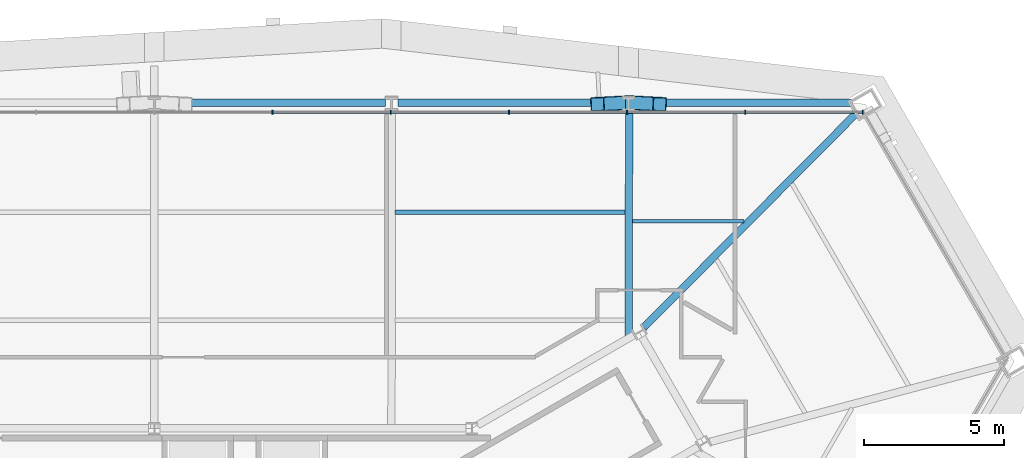
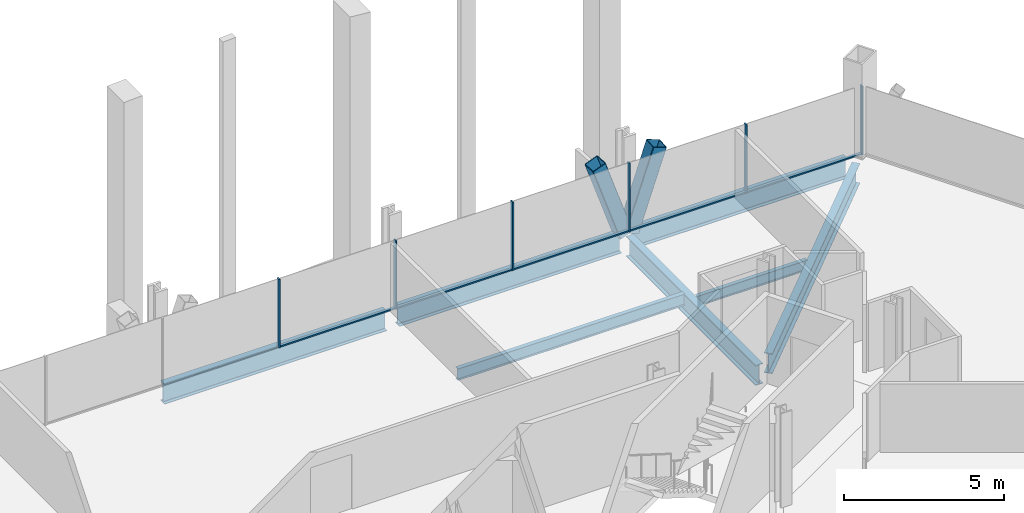
# One storey, part 8 of 16: 13 members, 7 beams, 1 element without a shape of its own.
"""IFC4 building model written with IfcOpenShell, lengths in metres."""

import ifcopenshell
import ifcopenshell.guid

model = None  # the IFC model being written
_history = None  # IfcOwnerHistory: only IFC2X3 demands one
_inside = {}  # id of a spatial element -> (the spatial element, [elements in it])
_under = {}  # id of a project, library or spatial element -> (it, [spatial elements below it])
_declared = {}  # id of a project -> (the project, [libraries it declares])
_typed = {}  # id of a type object -> (the type object, [elements of that type])
_made_of = {}  # id of a material, layer set ... -> (it, [elements and type objects made of it])


def new_model(schema):
    """Start an empty IFC model of exactly this schema.

    Asked for "IFC4X3", IfcOpenShell would pick the latest addendum, in which some entities
    have other attributes; the version numbers below select the first issue.
    IFC2X3 requires an IfcOwnerHistory on every rooted entity: one is made here for all.
    """
    global model, _history
    if schema == "IFC4X3":
        model = ifcopenshell.file(schema_version=(4, 3, 0, 0))
    else:
        model = ifcopenshell.file(schema=schema)
    _inside.clear()
    _under.clear()
    _declared.clear()
    _typed.clear()
    _made_of.clear()
    _history = None
    if model.schema == "IFC2X3":
        org = make("IfcOrganization", Name="unknown")
        user = make(
            "IfcPersonAndOrganization",
            ThePerson=make("IfcPerson", FamilyName="unknown"),
            TheOrganization=org,
        )
        app = make(
            "IfcApplication",
            ApplicationDeveloper=org,
            Version="unknown",
            ApplicationFullName="unknown",
            ApplicationIdentifier="unknown",
        )
        _history = make(
            "IfcOwnerHistory",
            OwningUser=user,
            OwningApplication=app,
            ChangeAction="ADDED",
            CreationDate=0,
        )
    return model


def make(cls, **values):
    """One entity of the class cls with the attributes given. An attribute that is None is left unset."""
    return model.create_entity(
        cls, **{name: value for name, value in values.items() if value is not None}
    )


def rooted(cls, **values):
    """An entity with a GlobalId (a new one), such as an element, a storey or a relation."""
    return make(cls, GlobalId=ifcopenshell.guid.new(), OwnerHistory=_history, **values)


def si_unit(unit_type, name, prefix=None):
    """IfcSIUnit, for example si_unit("LENGTHUNIT", "METRE", prefix="MILLI")."""
    return make("IfcSIUnit", UnitType=unit_type, Prefix=prefix, Name=name)


def assignment(units):
    """IfcUnitAssignment: the units of a project."""
    return None if units is None else make("IfcUnitAssignment", Units=units)


def point(xyz):
    """IfcCartesianPoint."""
    return None if xyz is None else make("IfcCartesianPoint", Coordinates=xyz)


def direction(xyz):
    """IfcDirection."""
    return None if xyz is None else make("IfcDirection", DirectionRatios=xyz)


def frame(location, z_axis=None, x_axis=None):
    """IfcAxis2Placement3D, a coordinate frame: its origin and axes. An axis left out is left unset."""
    return make(
        "IfcAxis2Placement3D",
        Location=point(location),
        Axis=direction(z_axis),
        RefDirection=direction(x_axis),
    )


def frame_2d(location, x_axis=None):
    """IfcAxis2Placement2D, a coordinate frame in the plane: its origin and x axis."""
    return make(
        "IfcAxis2Placement2D", Location=point(location), RefDirection=direction(x_axis)
    )


def origin():
    """The frame at (0, 0, 0) with its axes left unset."""
    return frame((0.0, 0.0, 0.0))


def origin_2d():
    """The frame at (0, 0) in the plane with its x axis left unset."""
    return frame_2d((0.0, 0.0))


def place(relative_to, where):
    """IfcLocalPlacement: puts the frame where relative to a parent placement (None: the world)."""
    return make(
        "IfcLocalPlacement", PlacementRelTo=relative_to, RelativePlacement=where
    )


def context(
    kind, dimensions, precision=None, world=None, true_north=None, identifier=None
):
    """IfcGeometricRepresentationContext, for example the 3D "Model" context."""
    return make(
        "IfcGeometricRepresentationContext",
        ContextIdentifier=identifier,
        ContextType=kind,
        CoordinateSpaceDimension=dimensions,
        Precision=precision,
        WorldCoordinateSystem=world,
        TrueNorth=true_north,
    )


def subcontext(parent, identifier, kind, view, scale=None):
    """IfcGeometricRepresentationSubContext, for example "Body" below "Model"."""
    return make(
        "IfcGeometricRepresentationSubContext",
        ContextIdentifier=identifier,
        ContextType=kind,
        ParentContext=parent,
        TargetScale=scale,
        TargetView=view,
    )


def project(units=None, contexts=None):
    """IfcProject with its units and contexts."""
    return rooted(
        "IfcProject",
        Name="project",
        RepresentationContexts=contexts,
        UnitsInContext=assignment(units),
    )


def spatial(cls, under=None, at=None, **own):
    """A site, building, storey or space (cls), placed at a placement, below another one or the project."""
    s = rooted(cls, ObjectPlacement=at, **own)
    if under is not None:
        _under.setdefault(under.id(), (under, []))[1].append(s)
    return s


def profile(cls, at=None, kind="AREA", **sizes):
    """A parametric profile (cls). Its sizes go by their IFC names, for example OverallWidth=200.0."""
    return make(cls, ProfileType=kind, Position=at, **sizes)


def rectangle(**sizes):
    """IfcRectangleProfileDef."""
    return profile("IfcRectangleProfileDef", **sizes)


def hollow_rectangle(**sizes):
    """IfcRectangleHollowProfileDef."""
    return profile("IfcRectangleHollowProfileDef", **sizes)


def i_section(**sizes):
    """IfcIShapeProfileDef."""
    return profile("IfcIShapeProfileDef", **sizes)


def extrude(swept, where, along, depth):
    """IfcExtrudedAreaSolid: the profile swept, set in the frame where, extruded along a direction by depth."""
    return make(
        "IfcExtrudedAreaSolid",
        SweptArea=swept,
        Position=where,
        ExtrudedDirection=direction(along),
        Depth=depth,
    )


def shape(context_of_items, identifier, shape_type, items):
    """IfcShapeRepresentation: the items that make up one representation, for example the "Body"."""
    return make(
        "IfcShapeRepresentation",
        ContextOfItems=context_of_items,
        RepresentationIdentifier=identifier,
        RepresentationType=shape_type,
        Items=items,
    )


def material(Name=None, Category=None):
    """IfcMaterial."""
    return make("IfcMaterial", Name=Name, Category=Category)


def material_profile(
    of_material, cross_section, Name=None, Category=None, Priority=None
):
    """IfcMaterialProfile: a cross section and its material."""
    return make(
        "IfcMaterialProfile",
        Name=Name,
        Material=of_material,
        Profile=cross_section,
        Priority=Priority,
        Category=Category,
    )


def profile_set(profiles, Name=None, composite=None):
    """IfcMaterialProfileSet."""
    return make(
        "IfcMaterialProfileSet",
        Name=Name,
        MaterialProfiles=profiles,
        CompositeProfile=composite,
    )


def made_of(thing, what):
    """Note that an element or type object is made of a material, layer set ...; save() writes the relation."""
    if what is not None:
        _made_of.setdefault(what.id(), (what, []))[1].append(thing)
    return thing


def type_object(cls, material=None, **own):
    """A type object (cls), such as IfcWallType, which elements share."""
    return made_of(rooted(cls, **own), material)


def element(
    cls,
    number,
    at=None,
    inside=None,
    cuts=None,
    type_object=None,
    material=None,
    context=None,
    identifier="Body",
    shape_type=None,
    held_by="IfcProductDefinitionShape",
    body=None,
    shapes=None,
    **own,
):
    """One element of the class cls, such as IfcWall. Its Tag is "e" and its number.

    at: its placement. inside: the storey or other place that contains it. cuts: it is an
    opening in that element (IfcRelVoidsElement). A single representation is given by context,
    identifier, shape_type and body (its items); several are given by shapes. held_by: the class
    of the entity that holds the representations. save() writes the other relations.
    """
    e = rooted(cls, Tag="e%d" % number, ObjectPlacement=at, **own)
    if body is not None:
        shapes = [shape(context, identifier, shape_type, body)]
    if shapes is not None:
        e.Representation = make(held_by, Representations=shapes)
    if inside is not None:
        _inside.setdefault(inside.id(), (inside, []))[1].append(e)
    if cuts is not None:
        rooted(
            "IfcRelVoidsElement", RelatingBuildingElement=cuts, RelatedOpeningElement=e
        )
    if type_object is not None:
        _typed.setdefault(type_object.id(), (type_object, []))[1].append(e)
    return made_of(e, material)


def aggregate(whole, parts):
    """IfcRelAggregates: a whole, such as a stair, and the parts it consists of."""
    return rooted("IfcRelAggregates", RelatingObject=whole, RelatedObjects=parts)


def save(model, path):
    """Write the relations noted so far, then the file.

    IfcRelAggregates (storeys below a building ...), IfcRelContainedInSpatialStructure (elements
    in a storey), IfcRelDefinesByType, IfcRelAssociatesMaterial and IfcRelDeclares: one each for
    every whole, place, type object, material and project.
    """
    for whole, parts in _under.values():
        aggregate(whole, parts)
    for where, things in _inside.values():
        rooted(
            "IfcRelContainedInSpatialStructure",
            RelatedElements=things,
            RelatingStructure=where,
        )
    for kind, things in _typed.values():
        rooted("IfcRelDefinesByType", RelatedObjects=things, RelatingType=kind)
    for what, things in _made_of.values():
        rooted("IfcRelAssociatesMaterial", RelatedObjects=things, RelatingMaterial=what)
    for by, libraries in _declared.values():
        rooted("IfcRelDeclares", RelatingContext=by, RelatedDefinitions=libraries)
    model.write(path)


model = new_model("IFC4")

# Units and contexts
model_context = context("Model", 3, precision=1e-05, world=origin(), true_north=direction((0.0, 1.0)))
body_context = subcontext(model_context, "Body", "Model", "MODEL_VIEW")
ifc_project = project(units=[si_unit("LENGTHUNIT", "METRE"), si_unit("AREAUNIT", "SQUARE_METRE"), si_unit("VOLUMEUNIT", "CUBIC_METRE"), si_unit("PLANEANGLEUNIT", "RADIAN"), si_unit("MASSUNIT", "GRAM", prefix="KILO")], contexts=[model_context])

# Site, building, storey
site_placement = place(None, origin())
site = spatial("IfcSite", under=ifc_project, at=site_placement, CompositionType="ELEMENT")
building_placement = place(site_placement, origin())
building = spatial("IfcBuilding", under=site, at=building_placement, Name="Verrane Prism Tower", CompositionType="ELEMENT")
storey_placement = place(building_placement, frame((0.0, 0.0, 36.800048828125)))
storey = spatial("IfcBuildingStorey", under=building, at=storey_placement, Name="L06", CompositionType="ELEMENT", Elevation=36.800048828125)

# Beam
ifc_material_1 = material(Name="Steel A992", Category="steel")
ifc_material_profile_1 = material_profile(ifc_material_1, i_section(OverallWidth=0.2666015625, OverallDepth=0.76708984375, WebThickness=0.014892578125, FlangeThickness=0.023681640625, FilletRadius=0.0166015625, at=origin_2d()), Name="W30x124")
ifc_profile_set_1 = profile_set([ifc_material_profile_1], Name="Steel A992")
beam_type_1 = type_object("IfcBeamType", Name="Corner girder W30x124", PredefinedType="BEAM", material=ifc_profile_set_1)
beam_1_placement = place(storey_placement, frame((25.04150390625, 20.43896484375, -0.603515625), z_axis=(-0.704479617192, -0.709724220356, 0.0), x_axis=(0.709724220356, -0.704479617192, 0.0)))
element("IfcBeam", 1, at=beam_1_placement, inside=storey, type_object=beam_type_1, Name="Corner girder L06", PredefinedType="BEAM", context=body_context, shape_type="SweptSolid", body=[
    extrude(i_section(OverallWidth=0.2666015625, OverallDepth=0.76708984375, WebThickness=0.014892578125, FlangeThickness=0.023681640625, FilletRadius=0.0166015625, at=origin_2d()), origin(), (0.0, 0.0, 1.0), 10.753173828125),
])

# Members
ifc_material_2 = material(Name="Steel A1085 Grade A", Category="steel")
ifc_material_profile_2 = material_profile(ifc_material_2, hollow_rectangle(XDim=0.508056640625, YDim=0.508056640625, WallThickness=0.025390625, InnerFilletRadius=0.0126953125, OuterFilletRadius=0.0380859375, at=origin_2d()), Name="HSS20x20x1")
ifc_profile_set_2 = profile_set([ifc_material_profile_2], Name="Steel A1085 Grade A")
member_type_1 = type_object("IfcMemberType", Name="Facade brace HSS20x20x1", PredefinedType="BRACE", material=ifc_profile_set_2)
member_1_placement = place(storey_placement, frame((17.05615234375, 20.82080078125, -0.19775390625), z_axis=(0.312097803729, -0.016277919553, 0.949910516966), x_axis=(0.052085673264, 0.99864262008, 0.0)))
element("IfcMember", 2, at=member_1_placement, inside=storey, type_object=member_type_1, Name="Facade brace N0 L06", PredefinedType="BRACE", context=body_context, shape_type="SweptSolid", body=[
    extrude(hollow_rectangle(XDim=0.508056640625, YDim=0.508056640625, WallThickness=0.025390625, InnerFilletRadius=0.0126953125, OuterFilletRadius=0.0380859375, at=origin_2d()), origin(), (0.0, 0.0, 1.0), 3.11962890625),
])
member_2_placement = place(storey_placement, frame((16.827392578125, 20.82080078125, -0.19775390625), z_axis=(-0.323891161877, -0.016210144772, 0.945955467485), x_axis=(0.049985560067, -0.998749940568, 0.0)))
element("IfcMember", 3, at=member_2_placement, inside=storey, type_object=member_type_1, Name="Facade brace N1 L06", PredefinedType="BRACE", context=body_context, shape_type="SweptSolid", body=[
    extrude(hollow_rectangle(XDim=0.508056640625, YDim=0.508056640625, WallThickness=0.025390625, InnerFilletRadius=0.0126953125, OuterFilletRadius=0.0380859375, at=origin_2d()), origin(), (0.0, 0.0, 1.0), 3.132568359375),
])

# Beams
ifc_material_3 = material(Name="Steel A992", Category="steel")
ifc_material_profile_3 = material_profile(ifc_material_3, i_section(OverallWidth=0.140380859375, OverallDepth=0.40380859375, WebThickness=0.007080078125, FlangeThickness=0.01123046875, FilletRadius=0.01025390625, at=origin_2d()), Name="W16x31")
ifc_profile_set_3 = profile_set([ifc_material_profile_3], Name="Steel A992")
beam_type_2 = type_object("IfcBeamType", Name="Floor beam W16x31", PredefinedType="BEAM", material=ifc_profile_set_3)
beam_2_placement = place(storey_placement, frame((17.053466796875, 16.594970703125, -0.362060546875), z_axis=(1.0, 0.0, 0.0), x_axis=(0.0, 1.0, 0.0)))
element("IfcBeam", 4, at=beam_2_placement, inside=storey, type_object=beam_type_2, Name="Floor beam L06", PredefinedType="BEAM", context=body_context, shape_type="SweptSolid", body=[
    extrude(i_section(OverallWidth=0.140380859375, OverallDepth=0.40380859375, WebThickness=0.007080078125, FlangeThickness=0.01123046875, FilletRadius=0.01025390625, at=origin_2d()), origin(), (0.0, 0.0, 1.0), 3.984130859375),
])
ifc_material_4 = material(Name="Steel A992", Category="steel")
ifc_material_profile_4 = material_profile(ifc_material_4, i_section(OverallWidth=0.15234375, OverallDepth=0.449462890625, WebThickness=0.007568359375, FlangeThickness=0.0107421875, FilletRadius=0.01025390625, at=origin_2d()), Name="W18x35")
ifc_profile_set_4 = profile_set([ifc_material_profile_4], Name="Steel A992")
beam_type_3 = type_object("IfcBeamType", Name="Floor beam W18x35", PredefinedType="BEAM", material=ifc_profile_set_4)
beam_3_placement = place(storey_placement, frame((8.593505859375, 16.913330078125, -0.384765625), z_axis=(1.0, 0.0, 0.0), x_axis=(0.0, 1.0, 0.0)))
element("IfcBeam", 5, at=beam_3_placement, inside=storey, type_object=beam_type_3, Name="Floor beam L06", PredefinedType="BEAM", context=body_context, shape_type="SweptSolid", body=[
    extrude(i_section(OverallWidth=0.15234375, OverallDepth=0.449462890625, WebThickness=0.007568359375, FlangeThickness=0.0107421875, FilletRadius=0.01025390625, at=origin_2d()), origin(), (0.0, 0.0, 1.0), 8.193115234375),
])

# Curtain wall, members
ifc_material_5 = material(Name="Aluminium framed insulated glazing", Category="aluminium")
curtain_wall_type = type_object("IfcCurtainWallType", Name="Curtain wall CW-C 4200 module", PredefinedType="NOTDEFINED", material=ifc_material_5)
curtain_wall_placement = place(storey_placement, origin())
curtain_wall = element("IfcCurtainWall", 6, at=curtain_wall_placement, inside=storey, type_object=curtain_wall_type, Name="Glazed curtain wall north face L06", PredefinedType="NOTDEFINED")
ifc_material_6 = material(Name="Aluminium alloy 6063-T6", Category="aluminium")
ifc_material_profile_5 = material_profile(ifc_material_6, rectangle(XDim=0.139892578125, YDim=0.050048828125, at=origin_2d()), Name="Mullion 50x140 aluminium")
ifc_profile_set_5 = profile_set([ifc_material_profile_5], Name="Aluminium alloy 6063-T6")
member_type_2 = type_object("IfcMemberType", Name="Mullion 50x140 aluminium", PredefinedType="MULLION", material=ifc_profile_set_5)
member_3_placement = place(storey_placement, frame((25.276611328125, 20.490966796875, 0.0), z_axis=(0.0, 0.0, 1.0), x_axis=(0.0, -1.0, 0.0)))
member_3 = element("IfcMember", 7, at=member_3_placement, type_object=member_type_2, Name="CW06.2 mullion 1", PredefinedType="MULLION", context=body_context, shape_type="SweptSolid", body=[
    extrude(rectangle(XDim=0.139892578125, YDim=0.050048828125, at=origin_2d()), origin(), (0.0, 0.0, 1.0), 2.61279296875),
])
member_4_placement = place(storey_placement, frame((21.084716796875, 20.490966796875, 0.0), z_axis=(0.0, 0.0, 1.0), x_axis=(0.0, -1.0, 0.0)))
member_4 = element("IfcMember", 8, at=member_4_placement, type_object=member_type_2, Name="CW06.2 mullion 2", PredefinedType="MULLION", context=body_context, shape_type="SweptSolid", body=[
    extrude(rectangle(XDim=0.139892578125, YDim=0.050048828125, at=origin_2d()), origin(), (0.0, 0.0, 1.0), 2.61279296875),
])
member_5_placement = place(storey_placement, frame((16.86767578125, 20.490966796875, 0.0), z_axis=(0.0, 0.0, 1.0), x_axis=(0.0, -1.0, 0.0)))
member_5 = element("IfcMember", 9, at=member_5_placement, type_object=member_type_2, Name="CW06.2 mullion 3", PredefinedType="MULLION", context=body_context, shape_type="SweptSolid", body=[
    extrude(rectangle(XDim=0.139892578125, YDim=0.050048828125, at=origin_2d()), origin(), (0.0, 0.0, 1.0), 2.61279296875),
])
member_6_placement = place(storey_placement, frame((12.65087890625, 20.490966796875, 0.0), z_axis=(0.0, 0.0, 1.0), x_axis=(0.0, -1.0, 0.0)))
member_6 = element("IfcMember", 10, at=member_6_placement, type_object=member_type_2, Name="CW06.2 mullion 4", PredefinedType="MULLION", context=body_context, shape_type="SweptSolid", body=[
    extrude(rectangle(XDim=0.139892578125, YDim=0.050048828125, at=origin_2d()), origin(), (0.0, 0.0, 1.0), 2.61279296875),
])
member_7_placement = place(storey_placement, frame((8.433837890625, 20.490966796875, 0.0), z_axis=(0.0, 0.0, 1.0), x_axis=(0.0, -1.0, 0.0)))
member_7 = element("IfcMember", 11, at=member_7_placement, type_object=member_type_2, Name="CW06.2 mullion 5", PredefinedType="MULLION", context=body_context, shape_type="SweptSolid", body=[
    extrude(rectangle(XDim=0.139892578125, YDim=0.050048828125, at=origin_2d()), origin(), (0.0, 0.0, 1.0), 2.61279296875),
])
member_8_placement = place(storey_placement, frame((4.217041015625, 20.490966796875, 0.0), z_axis=(0.0, 0.0, 1.0), x_axis=(0.0, -1.0, 0.0)))
member_8 = element("IfcMember", 12, at=member_8_placement, type_object=member_type_2, Name="CW06.2 mullion 6", PredefinedType="MULLION", context=body_context, shape_type="SweptSolid", body=[
    extrude(rectangle(XDim=0.139892578125, YDim=0.050048828125, at=origin_2d()), origin(), (0.0, 0.0, 1.0), 2.61279296875),
])

# Beams
ifc_material_7 = material(Name="Steel A992", Category="steel")
ifc_material_profile_6 = material_profile(ifc_material_7, i_section(OverallWidth=0.2666015625, OverallDepth=0.76708984375, WebThickness=0.014892578125, FlangeThickness=0.023681640625, FilletRadius=0.0166015625, at=origin_2d()), Name="W30x124")
ifc_profile_set_6 = profile_set([ifc_material_profile_6], Name="Steel A992")
beam_type_4 = type_object("IfcBeamType", Name="Radial girder W30x124", PredefinedType="BEAM", material=ifc_profile_set_6)
beam_4_placement = place(storey_placement, frame((16.943359375, 20.555419921875, -0.603515625), z_axis=(-0.002881226973, -0.999995849257, 0.0), x_axis=(0.999995849257, -0.002881226973, 0.0)))
element("IfcBeam", 13, at=beam_4_placement, inside=storey, type_object=beam_type_4, Name="Radial girder L06", PredefinedType="BEAM", context=body_context, shape_type="SweptSolid", body=[
    extrude(i_section(OverallWidth=0.2666015625, OverallDepth=0.76708984375, WebThickness=0.014892578125, FlangeThickness=0.023681640625, FilletRadius=0.0166015625, at=origin_2d()), origin(), (0.0, 0.0, 1.0), 8.134521484375),
])
ifc_material_8 = material(Name="Steel A992", Category="steel")
ifc_material_profile_7 = material_profile(ifc_material_8, i_section(OverallWidth=0.2666015625, OverallDepth=0.7568359375, WebThickness=0.013916015625, FlangeThickness=0.019287109375, FilletRadius=0.0166015625, at=origin_2d()), Name="W30x108")
ifc_profile_set_7 = profile_set([ifc_material_profile_7], Name="Steel A992")
beam_type_5 = type_object("IfcBeamType", Name="Spandrel beam W30x108", PredefinedType="SPANDREL", material=ifc_profile_set_7)
beam_5_placement = place(storey_placement, frame((24.888427734375, 20.82080078125, -0.53857421875), z_axis=(-1.0, 0.0, 0.0), x_axis=(0.0, -1.0, 0.0)))
element("IfcBeam", 14, at=beam_5_placement, inside=storey, type_object=beam_type_5, Name="Spandrel beam L06", PredefinedType="SPANDREL", context=body_context, shape_type="SweptSolid", body=[
    extrude(i_section(OverallWidth=0.2666015625, OverallDepth=0.7568359375, WebThickness=0.013916015625, FlangeThickness=0.019287109375, FilletRadius=0.0166015625, at=origin_2d()), origin(), (0.0, 0.0, 1.0), 7.723388671875),
])
beam_6_placement = place(storey_placement, frame((16.72314453125, 20.82080078125, -0.53857421875), z_axis=(-1.0, 0.0, 0.0), x_axis=(0.0, -1.0, 0.0)))
element("IfcBeam", 15, at=beam_6_placement, inside=storey, type_object=beam_type_5, Name="Spandrel beam L06", PredefinedType="SPANDREL", context=body_context, shape_type="SweptSolid", body=[
    extrude(i_section(OverallWidth=0.2666015625, OverallDepth=0.7568359375, WebThickness=0.013916015625, FlangeThickness=0.019287109375, FilletRadius=0.0166015625, at=origin_2d()), origin(), (0.0, 0.0, 1.0), 8.029541015625),
])
beam_7_placement = place(storey_placement, frame((8.251708984375, 20.82080078125, -0.53857421875), z_axis=(-1.0, 0.0, 0.0), x_axis=(0.0, -1.0, 0.0)))
element("IfcBeam", 16, at=beam_7_placement, inside=storey, type_object=beam_type_5, Name="Spandrel beam L06", PredefinedType="SPANDREL", context=body_context, shape_type="SweptSolid", body=[
    extrude(i_section(OverallWidth=0.2666015625, OverallDepth=0.7568359375, WebThickness=0.013916015625, FlangeThickness=0.019287109375, FilletRadius=0.0166015625, at=origin_2d()), origin(), (0.0, 0.0, 1.0), 8.03076171875),
])

# Member
ifc_material_9 = material(Name="Aluminium alloy 6063-T6", Category="aluminium")
ifc_material_profile_8 = material_profile(ifc_material_9, rectangle(XDim=0.10009765625, YDim=0.050048828125, at=origin_2d()), Name="Transom 50x100 aluminium")
ifc_profile_set_8 = profile_set([ifc_material_profile_8], Name="Aluminium alloy 6063-T6")
member_type_3 = type_object("IfcMemberType", Name="Transom 50x100 aluminium", PredefinedType="USERDEFINED", material=ifc_profile_set_8)
member_9_placement = place(storey_placement, frame((25.251708984375, 20.490966796875, 0.02490234375), z_axis=(-1.0, 0.0, 0.0), x_axis=(0.0, -1.0, 0.0)))
member_9 = element("IfcMember", 17, at=member_9_placement, type_object=member_type_3, Name="CW06.2 transom 1", ObjectType="TRANSOM", PredefinedType="USERDEFINED", context=body_context, shape_type="SweptSolid", body=[
    extrude(rectangle(XDim=0.10009765625, YDim=0.050048828125, at=origin_2d()), origin(), (0.0, 0.0, 1.0), 4.14208984375),
])

member_10_placement = place(storey_placement, frame((21.0595703125, 20.490966796875, 0.02490234375), z_axis=(-1.0, 0.0, 0.0), x_axis=(0.0, -1.0, 0.0)))
member_10 = element("IfcMember", 18, at=member_10_placement, type_object=member_type_3, Name="CW06.2 transom 2", ObjectType="TRANSOM", PredefinedType="USERDEFINED", context=body_context, shape_type="SweptSolid", body=[
    extrude(rectangle(XDim=0.10009765625, YDim=0.050048828125, at=origin_2d()), origin(), (0.0, 0.0, 1.0), 4.166748046875),
])

member_11_placement = place(storey_placement, frame((16.8427734375, 20.490966796875, 0.02490234375), z_axis=(-1.0, 0.0, 0.0), x_axis=(0.0, -1.0, 0.0)))
member_11 = element("IfcMember", 19, at=member_11_placement, type_object=member_type_3, Name="CW06.2 transom 3", ObjectType="TRANSOM", PredefinedType="USERDEFINED", context=body_context, shape_type="SweptSolid", body=[
    extrude(rectangle(XDim=0.10009765625, YDim=0.050048828125, at=origin_2d()), origin(), (0.0, 0.0, 1.0), 4.1669921875),
])

member_12_placement = place(storey_placement, frame((12.625732421875, 20.490966796875, 0.02490234375), z_axis=(-1.0, 0.0, 0.0), x_axis=(0.0, -1.0, 0.0)))
member_12 = element("IfcMember", 20, at=member_12_placement, type_object=member_type_3, Name="CW06.2 transom 4", ObjectType="TRANSOM", PredefinedType="USERDEFINED", context=body_context, shape_type="SweptSolid", body=[
    extrude(rectangle(XDim=0.10009765625, YDim=0.050048828125, at=origin_2d()), origin(), (0.0, 0.0, 1.0), 4.166748046875),
])

member_13_placement = place(storey_placement, frame((8.408935546875, 20.490966796875, 0.02490234375), z_axis=(-1.0, 0.0, 0.0), x_axis=(0.0, -1.0, 0.0)))
member_13 = element("IfcMember", 21, at=member_13_placement, type_object=member_type_3, Name="CW06.2 transom 5", ObjectType="TRANSOM", PredefinedType="USERDEFINED", context=body_context, shape_type="SweptSolid", body=[
    extrude(rectangle(XDim=0.10009765625, YDim=0.050048828125, at=origin_2d()), origin(), (0.0, 0.0, 1.0), 4.1669921875),
])

aggregate(curtain_wall, [member_3, member_4, member_5, member_6, member_7, member_8, member_9, member_10, member_11, member_12, member_13])

save(model, "model.ifc")
